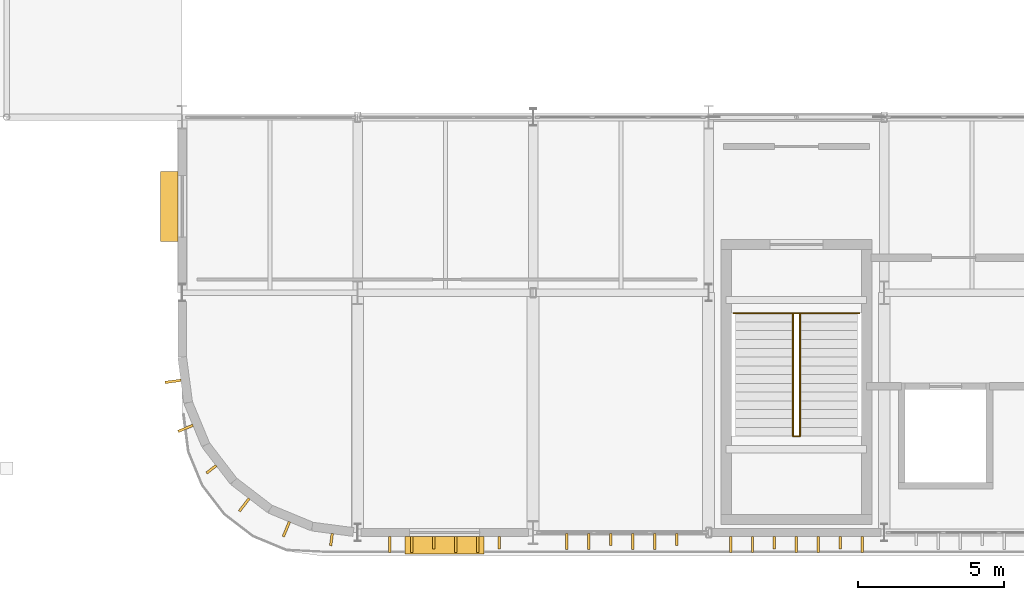
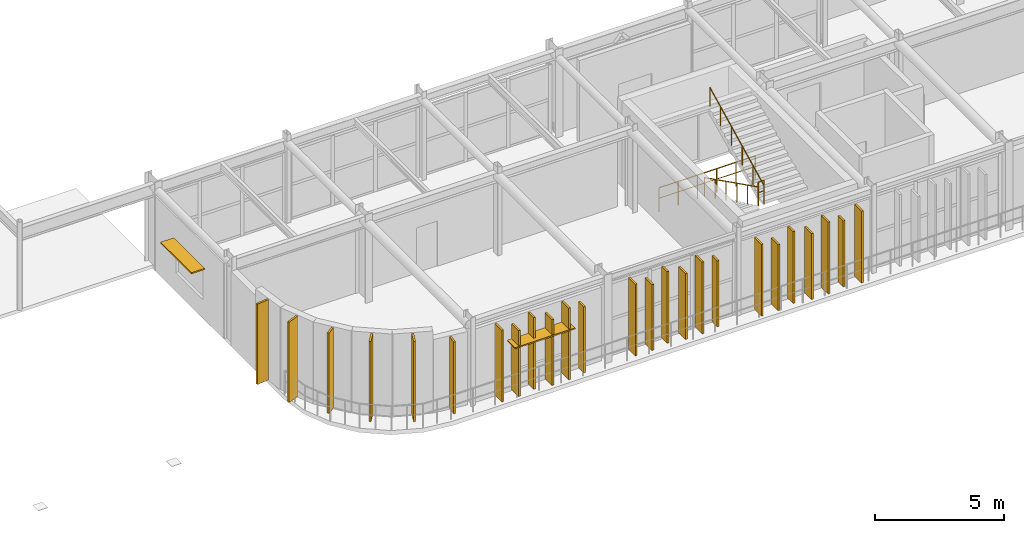
# One storey, part 106 of 116: 25 coverings, 4 railings, 2 shading devices.
"""IFC4 building model written with IfcOpenShell, lengths in metres."""

from ifc_helpers import new_model, si_unit, direction, frame, origin, origin_2d, place, context, subcontext, project, spatial, rectangle, circle, extrude, material, layer, layer_set, type_object, element, save


model = new_model("IFC4")

# Units and contexts
model_context = context("Model", 3, precision=1e-05, world=origin(), true_north=direction((0.0, 1.0)))
body_context = subcontext(model_context, "Body", "Model", "MODEL_VIEW")
ifc_project = project(units=[si_unit("LENGTHUNIT", "METRE"), si_unit("AREAUNIT", "SQUARE_METRE"), si_unit("VOLUMEUNIT", "CUBIC_METRE"), si_unit("PLANEANGLEUNIT", "RADIAN"), si_unit("MASSUNIT", "GRAM", prefix="KILO")], contexts=[model_context])

# Site, building, storey
site_placement = place(None, origin())
site = spatial("IfcSite", under=ifc_project, at=site_placement, CompositionType="ELEMENT")
building_placement = place(site_placement, origin())
building = spatial("IfcBuilding", under=site, at=building_placement, Name="Varnakota Square Police Headquarters", CompositionType="ELEMENT")
storey_placement = place(building_placement, frame((0.0, 0.0, 9.300048828125)))
storey = spatial("IfcBuildingStorey", under=building, at=storey_placement, Name="L02", CompositionType="ELEMENT", Elevation=9.300048828125)

# Coverings
ifc_material_1 = material(Name="White Anodised Aluminium Vertical Facade Blade 420", Category="aluminium")
ifc_layer_1 = layer(ifc_material_1, 0.0849609375, Name="White Anodised Aluminium Vertical Facade Blade 420")
ifc_layer_set_1 = layer_set([ifc_layer_1], Name="White Anodised Aluminium Vertical Facade Blade 420")
covering_type_1 = type_object("IfcCoveringType", Name="COV-FIN-420", PredefinedType="CLADDING", material=ifc_layer_set_1)
covering_1_placement = place(storey_placement, frame((116.597412109375, 0.455078125, 0.0400390625), z_axis=(0.0, 0.0, 1.0), x_axis=(1.0, 0.0, 0.0)))
element("IfcCovering", 1, at=covering_1_placement, inside=storey, type_object=covering_type_1, Name="Vertical aluminium facade fin FIN-0332", PredefinedType="CLADDING", context=body_context, shape_type="SweptSolid", body=[
    extrude(rectangle(XDim=0.0849609375, YDim=0.419921875, at=origin_2d()), origin(), (0.0, 0.0, 1.0), 3.403564453125),
])
covering_2_placement = place(storey_placement, frame((118.847412109375, 0.455078125, 0.0400390625), z_axis=(0.0, 0.0, 1.0), x_axis=(1.0, 0.0, 0.0)))
element("IfcCovering", 2, at=covering_2_placement, inside=storey, type_object=covering_type_1, Name="Vertical aluminium facade fin FIN-0335", PredefinedType="CLADDING", context=body_context, shape_type="SweptSolid", body=[
    extrude(rectangle(XDim=0.0849609375, YDim=0.419921875, at=origin_2d()), origin(), (0.0, 0.0, 1.0), 3.12353515625),
])
covering_3_placement = place(storey_placement, frame((122.655029296875, 0.5625, 0.0400390625), z_axis=(0.0, 0.0, 1.0), x_axis=(1.0, 0.0, 0.0)))
element("IfcCovering", 3, at=covering_3_placement, inside=storey, type_object=covering_type_1, Name="Vertical aluminium facade fin FIN-0338", PredefinedType="CLADDING", context=body_context, shape_type="SweptSolid", body=[
    extrude(rectangle(XDim=0.0849609375, YDim=0.419921875, at=origin_2d()), origin(), (0.0, 0.0, 1.0), 3.403564453125),
])
covering_4_placement = place(storey_placement, frame((124.905029296875, 0.5625, 0.0400390625), z_axis=(0.0, 0.0, 1.0), x_axis=(1.0, 0.0, 0.0)))
element("IfcCovering", 4, at=covering_4_placement, inside=storey, type_object=covering_type_1, Name="Vertical aluminium facade fin FIN-0341", PredefinedType="CLADDING", context=body_context, shape_type="SweptSolid", body=[
    extrude(rectangle(XDim=0.0849609375, YDim=0.419921875, at=origin_2d()), origin(), (0.0, 0.0, 1.0), 3.12353515625),
])
covering_5_placement = place(storey_placement, frame((128.24755859375, 0.455078125, 0.0400390625), z_axis=(0.0, 0.0, 1.0), x_axis=(1.0, 0.0, 0.0)))
element("IfcCovering", 5, at=covering_5_placement, inside=storey, type_object=covering_type_1, Name="Vertical aluminium facade fin FIN-0344", PredefinedType="CLADDING", context=body_context, shape_type="SweptSolid", body=[
    extrude(rectangle(XDim=0.0849609375, YDim=0.419921875, at=origin_2d()), origin(), (0.0, 0.0, 1.0), 3.403564453125),
])
covering_6_placement = place(storey_placement, frame((130.49755859375, 0.455078125, 0.0400390625), z_axis=(0.0, 0.0, 1.0), x_axis=(1.0, 0.0, 0.0)))
element("IfcCovering", 6, at=covering_6_placement, inside=storey, type_object=covering_type_1, Name="Vertical aluminium facade fin FIN-0347", PredefinedType="CLADDING", context=body_context, shape_type="SweptSolid", body=[
    extrude(rectangle(XDim=0.0849609375, YDim=0.419921875, at=origin_2d()), origin(), (0.0, 0.0, 1.0), 3.12353515625),
])
covering_7_placement = place(storey_placement, frame((108.9990234375, 2.962646484375, 0.0400390625), z_axis=(0.0, 0.0, 1.0), x_axis=(0.608761429009, -0.793353340291, 0.0)))
element("IfcCovering", 7, at=covering_7_placement, inside=storey, type_object=covering_type_1, Name="Vertical aluminium facade fin FIN-0415", PredefinedType="CLADDING", context=body_context, shape_type="SweptSolid", body=[
    extrude(rectangle(XDim=0.0849609375, YDim=0.419921875, at=origin_2d()), origin(), (0.0, 0.0, 1.0), 3.81494140625),
])
covering_8_placement = place(storey_placement, frame((113.104248046875, 0.559814453125, 0.0400390625), z_axis=(0.0, 0.0, 1.0), x_axis=(0.991444861374, -0.13052619222, 0.0)))
element("IfcCovering", 8, at=covering_8_placement, inside=storey, type_object=covering_type_1, Name="Vertical aluminium facade fin FIN-0418", PredefinedType="CLADDING", context=body_context, shape_type="SweptSolid", body=[
    extrude(rectangle(XDim=0.0849609375, YDim=0.419921875, at=origin_2d()), origin(), (0.0, 0.0, 1.0), 3.403564453125),
])
ifc_material_2 = material(Name="White Anodised Aluminium Vertical Facade Blade 550", Category="aluminium")
ifc_layer_2 = layer(ifc_material_2, 0.0849609375, Name="White Anodised Aluminium Vertical Facade Blade 550")
ifc_layer_set_2 = layer_set([ifc_layer_2], Name="White Anodised Aluminium Vertical Facade Blade 550")
covering_type_2 = type_object("IfcCoveringType", Name="COV-FIN-550", PredefinedType="CLADDING", material=ifc_layer_set_2)
covering_9_placement = place(storey_placement, frame((115.097412109375, 0.389892578125, 0.0400390625), z_axis=(0.0, 0.0, 1.0), x_axis=(1.0, 0.0, 0.0)))
element("IfcCovering", 9, at=covering_9_placement, inside=storey, type_object=covering_type_2, Name="Vertical aluminium facade fin FIN-0330", PredefinedType="CLADDING", context=body_context, shape_type="SweptSolid", body=[
    extrude(rectangle(XDim=0.0849609375, YDim=0.550048828125, at=origin_2d()), origin(), (0.0, 0.0, 1.0), 3.403564453125),
])
for number, where, z_axis, x_axis, name in (
    (10, (115.847412109375, 0.389892578125, 0.0400390625), (0.0, 0.0, 1.0), (1.0, 0.0, 0.0), "Vertical aluminium facade fin FIN-0331"),
    (11, (117.347412109375, 0.389892578125, 0.0400390625), (0.0, 0.0, 1.0), (1.0, 0.0, 0.0), "Vertical aluminium facade fin FIN-0333"),
):
    element("IfcCovering", number, at=place(storey_placement, frame(where, z_axis=z_axis, x_axis=x_axis)), inside=storey, type_object=covering_type_2, Name=name, PredefinedType="CLADDING", context=body_context, shape_type="SweptSolid", body=[
        extrude(rectangle(XDim=0.0849609375, YDim=0.550048828125, at=origin_2d()), origin(), (0.0, 0.0, 1.0), 3.12353515625),
    ])
for number, where, z_axis, x_axis, name in (
    (12, (118.097412109375, 0.389892578125, 0.0400390625), (0.0, 0.0, 1.0), (1.0, 0.0, 0.0), "Vertical aluminium facade fin FIN-0334"),
    (13, (121.155029296875, 0.49755859375, 0.0400390625), (0.0, 0.0, 1.0), (1.0, 0.0, 0.0), "Vertical aluminium facade fin FIN-0336"),
):
    element("IfcCovering", number, at=place(storey_placement, frame(where, z_axis=z_axis, x_axis=x_axis)), inside=storey, type_object=covering_type_2, Name=name, PredefinedType="CLADDING", context=body_context, shape_type="SweptSolid", body=[
        extrude(rectangle(XDim=0.0849609375, YDim=0.550048828125, at=origin_2d()), origin(), (0.0, 0.0, 1.0), 3.403564453125),
    ])
for number, where, z_axis, x_axis, name in (
    (14, (121.905029296875, 0.49755859375, 0.0400390625), (0.0, 0.0, 1.0), (1.0, 0.0, 0.0), "Vertical aluminium facade fin FIN-0337"),
    (15, (123.405029296875, 0.49755859375, 0.0400390625), (0.0, 0.0, 1.0), (1.0, 0.0, 0.0), "Vertical aluminium facade fin FIN-0339"),
):
    element("IfcCovering", number, at=place(storey_placement, frame(where, z_axis=z_axis, x_axis=x_axis)), inside=storey, type_object=covering_type_2, Name=name, PredefinedType="CLADDING", context=body_context, shape_type="SweptSolid", body=[
        extrude(rectangle(XDim=0.0849609375, YDim=0.550048828125, at=origin_2d()), origin(), (0.0, 0.0, 1.0), 3.12353515625),
    ])
for number, where, z_axis, x_axis, name in (
    (16, (124.155029296875, 0.49755859375, 0.0400390625), (0.0, 0.0, 1.0), (1.0, 0.0, 0.0), "Vertical aluminium facade fin FIN-0340"),
    (17, (126.74755859375, 0.389892578125, 0.0400390625), (0.0, 0.0, 1.0), (1.0, 0.0, 0.0), "Vertical aluminium facade fin FIN-0342"),
):
    element("IfcCovering", number, at=place(storey_placement, frame(where, z_axis=z_axis, x_axis=x_axis)), inside=storey, type_object=covering_type_2, Name=name, PredefinedType="CLADDING", context=body_context, shape_type="SweptSolid", body=[
        extrude(rectangle(XDim=0.0849609375, YDim=0.550048828125, at=origin_2d()), origin(), (0.0, 0.0, 1.0), 3.403564453125),
    ])
for number, where, z_axis, x_axis, name in (
    (18, (127.49755859375, 0.389892578125, 0.0400390625), (0.0, 0.0, 1.0), (1.0, 0.0, 0.0), "Vertical aluminium facade fin FIN-0343"),
    (19, (128.99755859375, 0.389892578125, 0.0400390625), (0.0, 0.0, 1.0), (1.0, 0.0, 0.0), "Vertical aluminium facade fin FIN-0345"),
):
    element("IfcCovering", number, at=place(storey_placement, frame(where, z_axis=z_axis, x_axis=x_axis)), inside=storey, type_object=covering_type_2, Name=name, PredefinedType="CLADDING", context=body_context, shape_type="SweptSolid", body=[
        extrude(rectangle(XDim=0.0849609375, YDim=0.550048828125, at=origin_2d()), origin(), (0.0, 0.0, 1.0), 3.12353515625),
    ])
for number, where, z_axis, x_axis, name in (
    (20, (129.74755859375, 0.389892578125, 0.0400390625), (0.0, 0.0, 1.0), (1.0, 0.0, 0.0), "Vertical aluminium facade fin FIN-0346"),
    (21, (131.24755859375, 0.389892578125, 0.0400390625), (0.0, 0.0, 1.0), (1.0, 0.0, 0.0), "Vertical aluminium facade fin FIN-0348"),
):
    element("IfcCovering", number, at=place(storey_placement, frame(where, z_axis=z_axis, x_axis=x_axis)), inside=storey, type_object=covering_type_2, Name=name, PredefinedType="CLADDING", context=body_context, shape_type="SweptSolid", body=[
        extrude(rectangle(XDim=0.0849609375, YDim=0.550048828125, at=origin_2d()), origin(), (0.0, 0.0, 1.0), 3.403564453125),
    ])
for number, where, z_axis, x_axis, name in (
    (22, (107.685791015625, 5.96875, 0.0400390625), (0.0, 0.0, 1.0), (0.13052619222, -0.991444861374, 0.0), "Vertical aluminium facade fin FIN-0413"),
    (23, (108.1162109375, 4.36279296875, 0.0400390625), (0.0, 0.0, 1.0), (0.382683432365, -0.923879532511, 0.0), "Vertical aluminium facade fin FIN-0414"),
    (24, (110.123046875, 1.747314453125, 0.0400390625), (0.0, 0.0, 1.0), (0.793353340291, -0.608761429009, 0.0), "Vertical aluminium facade fin FIN-0416"),
    (25, (111.562744140625, 0.916015625, 0.0400390625), (0.0, 0.0, 1.0), (0.923879532511, -0.382683432365, 0.0), "Vertical aluminium facade fin FIN-0417"),
):
    element("IfcCovering", number, at=place(storey_placement, frame(where, z_axis=z_axis, x_axis=x_axis)), inside=storey, type_object=covering_type_2, Name=name, PredefinedType="CLADDING", context=body_context, shape_type="SweptSolid", body=[
        extrude(rectangle(XDim=0.0849609375, YDim=0.550048828125, at=origin_2d()), origin(), (0.0, 0.0, 1.0), 3.81494140625),
    ])

# Railings
ifc_material_3 = material(Name="Brushed Stainless Steel Tubular Handrail", Category="steel")
railing_type_1 = type_object("IfcRailingType", Name="RL-HND-920", PredefinedType="HANDRAIL", material=ifc_material_3)
railing_1_placement = place(storey_placement, frame((128.8798828125, 8.300048828125, 0.0)))
element("IfcRailing", 26, at=railing_1_placement, inside=storey, type_object=railing_type_1, Name="Stair flight handrail HR-L02-005", PredefinedType="HANDRAIL", context=body_context, shape_type="SweptSolid", body=[
    extrude(circle(Radius=0.02392578125, at=origin_2d()), frame((0.0, 0.0, 0.89599609375), z_axis=(0.0, -0.894468775824, 0.447130416184), x_axis=(1.0, 0.0, 0.0)), (0.0, 0.0, 1.0), 4.6962890625),
    extrude(circle(Radius=0.02099609375, at=origin_2d()), origin(), (0.0, 0.0, 1.0), 0.871826171875),
    extrude(circle(Radius=0.02099609375, at=origin_2d()), frame((0.0, -0.840087890625, 0.419921875)), (0.0, 0.0, 1.0), 0.871826171875),
    extrude(circle(Radius=0.02099609375, at=origin_2d()), frame((0.0, -1.68017578125, 0.83984375)), (0.0, 0.0, 1.0), 0.871826171875),
    extrude(circle(Radius=0.02099609375, at=origin_2d()), frame((0.0, -2.5205078125, 1.260009765625)), (0.0, 0.0, 1.0), 0.871826171875),
    extrude(circle(Radius=0.02099609375, at=origin_2d()), frame((0.0, -3.360595703125, 1.679931640625)), (0.0, 0.0, 1.0), 0.871826171875),
    extrude(circle(Radius=0.02099609375, at=origin_2d()), frame((0.0, -4.20068359375, 2.099853515625)), (0.0, 0.0, 1.0), 0.871826171875),
])
railing_2_placement = place(storey_placement, frame((129.1201171875, 4.099365234375, 2.099853515625)))
element("IfcRailing", 27, at=railing_2_placement, inside=storey, type_object=railing_type_1, Name="Stair flight handrail HR-L02-006", PredefinedType="HANDRAIL", context=body_context, shape_type="SweptSolid", body=[
    extrude(circle(Radius=0.02392578125, at=origin_2d()), frame((0.0, 0.0, 0.89599609375), z_axis=(0.0, 0.894447983895, 0.447172007292), x_axis=(-1.0, 0.0, 0.0)), (0.0, 0.0, 1.0), 4.6962890625),
    extrude(circle(Radius=0.02099609375, at=origin_2d()), origin(), (0.0, 0.0, 1.0), 0.871826171875),
    extrude(circle(Radius=0.02099609375, at=origin_2d()), frame((0.0, 0.840087890625, 0.419921875)), (0.0, 0.0, 1.0), 0.871826171875),
    extrude(circle(Radius=0.02099609375, at=origin_2d()), frame((0.0, 1.68017578125, 0.840087890625)), (0.0, 0.0, 1.0), 0.871826171875),
    extrude(circle(Radius=0.02099609375, at=origin_2d()), frame((0.0, 2.5205078125, 1.260009765625)), (0.0, 0.0, 1.0), 0.871826171875),
    extrude(circle(Radius=0.02099609375, at=origin_2d()), frame((0.0, 3.360595703125, 1.68017578125)), (0.0, 0.0, 1.0), 0.871826171875),
    extrude(circle(Radius=0.02099609375, at=origin_2d()), frame((0.0, 4.20068359375, 2.10009765625)), (0.0, 0.0, 1.0), 0.871826171875),
])
ifc_material_4 = material(Name="Laminated Glass and Stainless Steel Balustrade", Category="steel")
railing_type_2 = type_object("IfcRailingType", Name="RL-INT-1150", PredefinedType="BALUSTRADE", material=ifc_material_4)
railing_3_placement = place(storey_placement, frame((126.840087890625, 8.300048828125, 0.0)))
element("IfcRailing", 28, at=railing_3_placement, inside=storey, type_object=railing_type_2, Name="Stair well safety guard C1 L02", PredefinedType="BALUSTRADE", context=body_context, shape_type="SweptSolid", body=[
    extrude(circle(Radius=0.02392578125, at=origin_2d()), frame((0.0, 0.0, 1.1259765625), z_axis=(1.0, 0.0, 0.0), x_axis=(0.0, 1.0, 0.0)), (0.0, 0.0, 1.0), 4.31982421875),
    extrude(circle(Radius=0.01806640625, at=origin_2d()), frame((0.0, 0.0, 0.63232421875), z_axis=(1.0, 0.0, 0.0), x_axis=(0.0, 1.0, 0.0)), (0.0, 0.0, 1.0), 4.31982421875),
    extrude(circle(Radius=0.02099609375, at=origin_2d()), origin(), (0.0, 0.0, 1.0), 1.101806640625),
    extrude(circle(Radius=0.02099609375, at=origin_2d()), frame((0.864013671875, 0.0, 0.0)), (0.0, 0.0, 1.0), 1.101806640625),
    extrude(circle(Radius=0.02099609375, at=origin_2d()), frame((1.72802734375, 0.0, 0.0)), (0.0, 0.0, 1.0), 1.101806640625),
    extrude(circle(Radius=0.02099609375, at=origin_2d()), frame((2.591796875, 0.0, 0.0)), (0.0, 0.0, 1.0), 1.101806640625),
    extrude(circle(Radius=0.02099609375, at=origin_2d()), frame((3.455810546875, 0.0, 0.0)), (0.0, 0.0, 1.0), 1.101806640625),
    extrude(circle(Radius=0.02099609375, at=origin_2d()), frame((4.31982421875, 0.0, 0.0)), (0.0, 0.0, 1.0), 1.101806640625),
])
railing_4_placement = place(storey_placement, frame((128.869873046875, 4.099365234375, 2.099853515625)))
element("IfcRailing", 29, at=railing_4_placement, inside=storey, type_object=railing_type_2, Name="Half-landing well guard C1 L02", PredefinedType="BALUSTRADE", context=body_context, shape_type="SweptSolid", body=[
    extrude(circle(Radius=0.02392578125, at=origin_2d()), frame((0.0, 0.0, 1.1259765625), z_axis=(1.0, 0.0, 0.0), x_axis=(0.0, 1.0, 0.0)), (0.0, 0.0, 1.0), 0.26025390625),
    extrude(circle(Radius=0.01806640625, at=origin_2d()), frame((0.0, 0.0, 0.63232421875), z_axis=(1.0, 0.0, 0.0), x_axis=(0.0, 1.0, 0.0)), (0.0, 0.0, 1.0), 0.26025390625),
    extrude(circle(Radius=0.02099609375, at=origin_2d()), origin(), (0.0, 0.0, 1.0), 1.101806640625),
    extrude(circle(Radius=0.02099609375, at=origin_2d()), frame((0.26025390625, 0.0, 0.0)), (0.0, 0.0, 1.0), 1.101806640625),
])

# Shading devices
ifc_material_5 = material(Name="Anodised Aluminium Horizontal Brise-Soleil", Category="aluminium")
ifc_layer_3 = layer(ifc_material_5, 0.06005859375, Name="Anodised Aluminium Horizontal Brise-Soleil")
ifc_layer_set_3 = layer_set([ifc_layer_3], Name="Anodised Aluminium Horizontal Brise-Soleil")
shading_device_type = type_object("IfcShadingDeviceType", Name="SHD-JAL-600", PredefinedType="JALOUSIE", material=ifc_layer_set_3)
shading_device_1_placement = place(storey_placement, frame((116.972412109375, 0.362060546875, 2.39990234375), z_axis=(0.0, 0.0, 1.0), x_axis=(1.0, 0.0, 0.0)))
element("IfcShadingDevice", 30, at=shading_device_1_placement, inside=storey, type_object=shading_device_type, Name="Horizontal sunshade SHD-019", PredefinedType="JALOUSIE", context=body_context, shape_type="SweptSolid", body=[
    extrude(rectangle(XDim=2.699951171875, YDim=0.60009765625, at=origin_2d()), origin(), (0.0, 0.0, 1.0), 0.06005859375),
])
shading_device_2_placement = place(storey_placement, frame((107.56201171875, 11.949951171875, 2.39990234375), z_axis=(0.0, 0.0, 1.0), x_axis=(0.0, 1.0, 0.0)))
element("IfcShadingDevice", 31, at=shading_device_2_placement, inside=storey, type_object=shading_device_type, Name="Horizontal sunshade SHD-022", PredefinedType="JALOUSIE", context=body_context, shape_type="SweptSolid", body=[
    extrude(rectangle(XDim=2.39990234375, YDim=0.60009765625, at=origin_2d()), origin(), (0.0, 0.0, 1.0), 0.06005859375),
])

save(model, "model.ifc")
